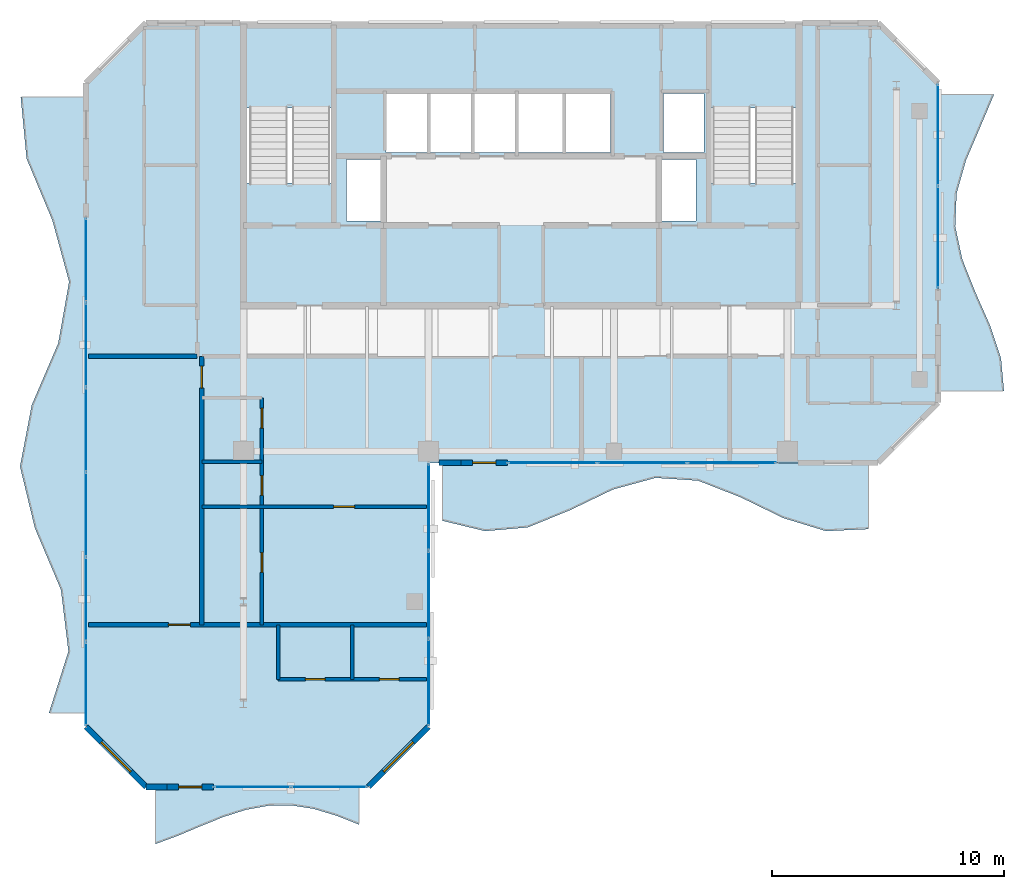
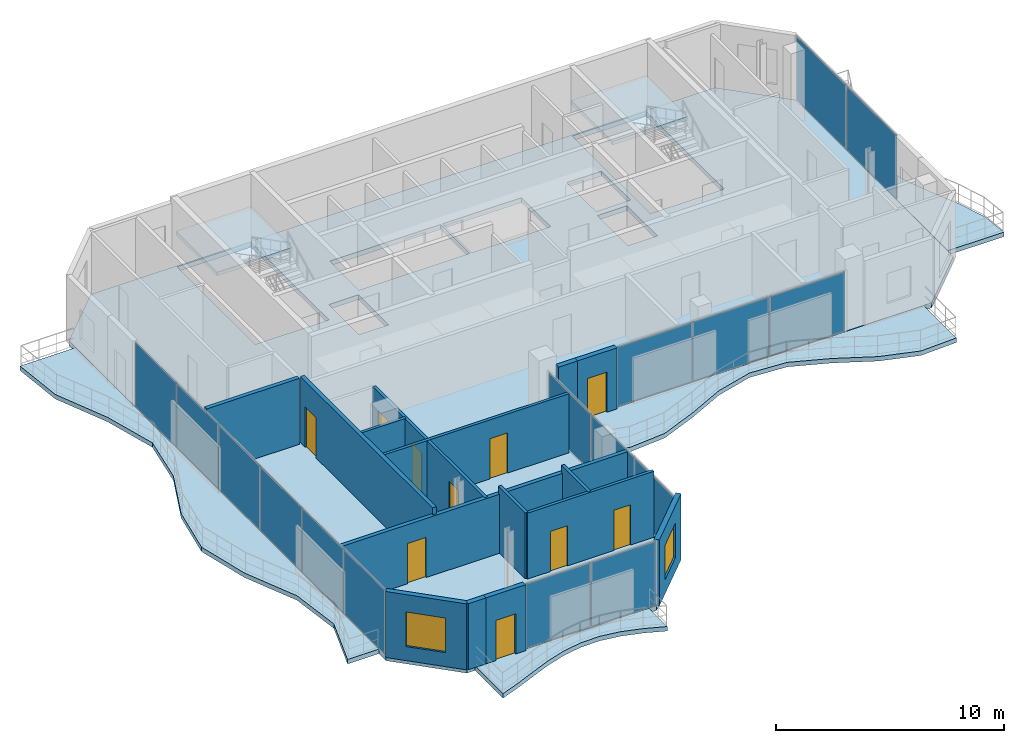
# One storey, part 12 of 17: 16 plates, 15 walls, 10 doors, 7 slabs, 2 windows, 12 openings, 7 elements without a shape of their own.
"""IFC4 building model written with IfcOpenShell, lengths in metres."""

from ifc_helpers import new_model, si_unit, direction, frame, frame_2d, origin, origin_2d, place, context, subcontext, project, spatial, polyline, rectangle, outline, extrude, material, layer, layer_set, type_object, element, fill, aggregate, save


model = new_model("IFC4")

# Units and contexts
model_context = context("Model", 3, precision=1e-05, world=origin(), true_north=direction((0.0, 1.0)))
body_context = subcontext(model_context, "Body", "Model", "MODEL_VIEW")
ifc_project = project(units=[si_unit("LENGTHUNIT", "METRE"), si_unit("AREAUNIT", "SQUARE_METRE"), si_unit("VOLUMEUNIT", "CUBIC_METRE"), si_unit("PLANEANGLEUNIT", "RADIAN"), si_unit("MASSUNIT", "GRAM", prefix="KILO")], contexts=[model_context])

# Site, building, storey
site_placement = place(None, origin())
site = spatial("IfcSite", under=ifc_project, at=site_placement, CompositionType="ELEMENT")
building_placement = place(site_placement, origin())
building = spatial("IfcBuilding", under=site, at=building_placement, Name="Catumbela Crestline Tower", CompositionType="ELEMENT")
storey_placement = place(building_placement, frame((0.0, 0.0, 279.2)))
storey = spatial("IfcBuildingStorey", under=building, at=storey_placement, Name="L72", CompositionType="ELEMENT", Elevation=279.2)

# Curtain wall, plates
ifc_material_1 = material(Name="Aluminium alloy AW-6060-T66", Category="aluminium")
ifc_layer_1 = layer(ifc_material_1, 0.18, Name="Aluminium alloy AW-6060-T66")
ifc_layer_set_1 = layer_set([ifc_layer_1], Name="Aluminium alloy AW-6060-T66")
curtain_wall_type = type_object("IfcCurtainWallType", Name="CWU-Z4", PredefinedType="USERDEFINED", material=ifc_layer_set_1)
curtain_wall_1_placement = place(storey_placement, origin())
curtain_wall_1 = element("IfcCurtainWall", 1, at=curtain_wall_1_placement, inside=storey, type_object=curtain_wall_type, Name="L72 Unitised Curtain Wall CW-L72-E0S2", ObjectType="UNITISED", PredefinedType="USERDEFINED")
ifc_material_2 = material(Name="Low-E laminated solar-control double glazing", Category="glass")
ifc_layer_2 = layer(ifc_material_2, 0.036, Name="Low-E laminated solar-control double glazing")
ifc_layer_set_2 = layer_set([ifc_layer_2], Name="Low-E laminated solar-control double glazing")
plate_type = type_object("IfcPlateType", Name="PNL-GLZ-Z4", PredefinedType="CURTAIN_PANEL", material=ifc_layer_set_2)
plate_1_placement = place(storey_placement, frame((16.3912, 10.0, 0.06), z_axis=(0.0, 0.0, 1.0), x_axis=(1.0, 0.0, 0.0)))
plate_1 = element("IfcPlate", 2, at=plate_1_placement, type_object=plate_type, Name="CWU-Z4 panel 1.1", PredefinedType="CURTAIN_PANEL", context=body_context, shape_type="SweptSolid", body=[
    extrude(rectangle(XDim=3.2525, YDim=0.034, at=origin_2d()), origin(), (0.0, 0.0, 1.0), 3.41),
])
plate_2_placement = place(storey_placement, frame((19.7087, 10.0, 0.06), z_axis=(0.0, 0.0, 1.0), x_axis=(1.0, 0.0, 0.0)))
plate_2 = element("IfcPlate", 3, at=plate_2_placement, type_object=plate_type, Name="CWU-Z4 panel 2.1", PredefinedType="CURTAIN_PANEL", context=body_context, shape_type="SweptSolid", body=[
    extrude(rectangle(XDim=3.2525, YDim=0.034, at=origin_2d()), origin(), (0.0, 0.0, 1.0), 3.41),
])
aggregate(curtain_wall_1, [plate_1, plate_2])

curtain_wall_2_placement = place(storey_placement, origin())
curtain_wall_2 = element("IfcCurtainWall", 4, at=curtain_wall_2_placement, inside=storey, type_object=curtain_wall_type, Name="L72 Unitised Curtain Wall CW-L72-E2S1", ObjectType="UNITISED", PredefinedType="USERDEFINED")
plate_3_placement = place(storey_placement, frame((24.0, 14.5162, 0.06), z_axis=(0.0, 0.0, 1.0), x_axis=(0.0, 1.0, 0.0)))
plate_3 = element("IfcPlate", 5, at=plate_3_placement, type_object=plate_type, Name="CWU-Z4 panel 1.1", PredefinedType="CURTAIN_PANEL", context=body_context, shape_type="SweptSolid", body=[
    extrude(rectangle(XDim=3.7025, YDim=0.034, at=origin_2d()), origin(), (0.0, 0.0, 1.0), 3.04),
])
plate_4_placement = place(storey_placement, frame((24.0, 18.3, 0.06), z_axis=(0.0, 0.0, 1.0), x_axis=(0.0, 1.0, 0.0)))
plate_4 = element("IfcPlate", 6, at=plate_4_placement, type_object=plate_type, Name="CWU-Z4 panel 2.1", PredefinedType="CURTAIN_PANEL", context=body_context, shape_type="SweptSolid", body=[
    extrude(rectangle(XDim=3.735, YDim=0.034, at=origin_2d()), origin(), (0.0, 0.0, 1.0), 3.04),
])
plate_5_placement = place(storey_placement, frame((24.0, 22.0837, 0.06), z_axis=(0.0, 0.0, 1.0), x_axis=(0.0, 1.0, 0.0)))
plate_5 = element("IfcPlate", 7, at=plate_5_placement, type_object=plate_type, Name="CWU-Z4 panel 3.1", PredefinedType="CURTAIN_PANEL", context=body_context, shape_type="SweptSolid", body=[
    extrude(rectangle(XDim=3.7025, YDim=0.034, at=origin_2d()), origin(), (0.0, 0.0, 1.0), 3.04),
])
aggregate(curtain_wall_2, [plate_3, plate_4, plate_5])

curtain_wall_3_placement = place(storey_placement, origin())
curtain_wall_3 = element("IfcCurtainWall", 8, at=curtain_wall_3_placement, inside=storey, type_object=curtain_wall_type, Name="L72 Unitised Curtain Wall CW-L72-E3S2", ObjectType="UNITISED", PredefinedType="USERDEFINED")
plate_6_placement = place(storey_placement, frame((29.3579, 24.0, 0.06), z_axis=(0.0, 0.0, 1.0), x_axis=(1.0, 0.0, 0.0)))
plate_6 = element("IfcPlate", 9, at=plate_6_placement, type_object=plate_type, Name="CWU-Z4 panel 1.1", PredefinedType="CURTAIN_PANEL", context=body_context, shape_type="SweptSolid", body=[
    extrude(rectangle(XDim=3.7858, YDim=0.034, at=origin_2d()), origin(), (0.0, 0.0, 1.0), 3.15),
])
plate_7_placement = place(storey_placement, frame((33.225, 24.0, 0.06), z_axis=(0.0, 0.0, 1.0), x_axis=(1.0, 0.0, 0.0)))
plate_7 = element("IfcPlate", 10, at=plate_7_placement, type_object=plate_type, Name="CWU-Z4 panel 2.1", PredefinedType="CURTAIN_PANEL", context=body_context, shape_type="SweptSolid", body=[
    extrude(rectangle(XDim=3.8183, YDim=0.034, at=origin_2d()), origin(), (0.0, 0.0, 1.0), 3.15),
])
plate_8_placement = place(storey_placement, frame((37.0921, 24.0, 0.06), z_axis=(0.0, 0.0, 1.0), x_axis=(1.0, 0.0, 0.0)))
plate_8 = element("IfcPlate", 11, at=plate_8_placement, type_object=plate_type, Name="CWU-Z4 panel 3.1", PredefinedType="CURTAIN_PANEL", context=body_context, shape_type="SweptSolid", body=[
    extrude(rectangle(XDim=3.7858, YDim=0.034, at=origin_2d()), origin(), (0.0, 0.0, 1.0), 3.15),
])
aggregate(curtain_wall_3, [plate_6, plate_7, plate_8])

curtain_wall_4_placement = place(storey_placement, origin())
curtain_wall_4 = element("IfcCurtainWall", 12, at=curtain_wall_4_placement, inside=storey, type_object=curtain_wall_type, Name="L72 Unitised Curtain Wall CW-L72-E5S2", ObjectType="UNITISED", PredefinedType="USERDEFINED")
plate_9_placement = place(storey_placement, frame((46.0, 33.7412, 0.06), z_axis=(0.0, 0.0, 1.0), x_axis=(0.0, 1.0, 0.0)))
plate_9 = element("IfcPlate", 13, at=plate_9_placement, type_object=plate_type, Name="CWU-Z4 panel 1.1", PredefinedType="CURTAIN_PANEL", context=body_context, shape_type="SweptSolid", body=[
    extrude(rectangle(XDim=4.3525, YDim=0.034, at=origin_2d()), origin(), (0.0, 0.0, 1.0), 3.41),
])
plate_10_placement = place(storey_placement, frame((46.0, 38.1588, 0.06), z_axis=(0.0, 0.0, 1.0), x_axis=(0.0, 1.0, 0.0)))
plate_10 = element("IfcPlate", 14, at=plate_10_placement, type_object=plate_type, Name="CWU-Z4 panel 2.1", PredefinedType="CURTAIN_PANEL", context=body_context, shape_type="SweptSolid", body=[
    extrude(rectangle(XDim=4.3525, YDim=0.034, at=origin_2d()), origin(), (0.0, 0.0, 1.0), 3.41),
])
aggregate(curtain_wall_4, [plate_9, plate_10])

curtain_wall_5_placement = place(storey_placement, origin())
curtain_wall_5 = element("IfcCurtainWall", 15, at=curtain_wall_5_placement, inside=storey, type_object=curtain_wall_type, Name="L72 Unitised Curtain Wall CW-L72-E9S2", ObjectType="UNITISED", PredefinedType="USERDEFINED")
plate_11_placement = place(storey_placement, frame((9.2, 32.7504, 0.06), z_axis=(0.0, 0.0, 1.0), x_axis=(0.0, -1.0, 0.0)))
plate_11 = element("IfcPlate", 16, at=plate_11_placement, type_object=plate_type, Name="CWU-Z4 panel 1.1", PredefinedType="CURTAIN_PANEL", context=body_context, shape_type="SweptSolid", body=[
    extrude(rectangle(XDim=3.5692, YDim=0.034, at=origin_2d()), origin(), (0.0, 0.0, 1.0), 3.41),
])
plate_12_placement = place(storey_placement, frame((9.2, 29.1, 0.06), z_axis=(0.0, 0.0, 1.0), x_axis=(0.0, -1.0, 0.0)))
plate_12 = element("IfcPlate", 17, at=plate_12_placement, type_object=plate_type, Name="CWU-Z4 panel 2.1", PredefinedType="CURTAIN_PANEL", context=body_context, shape_type="SweptSolid", body=[
    extrude(rectangle(XDim=3.6017, YDim=0.034, at=origin_2d()), origin(), (0.0, 0.0, 1.0), 3.41),
])
plate_13_placement = place(storey_placement, frame((9.2, 25.4333, 0.06), z_axis=(0.0, 0.0, 1.0), x_axis=(0.0, -1.0, 0.0)))
plate_13 = element("IfcPlate", 18, at=plate_13_placement, type_object=plate_type, Name="CWU-Z4 panel 3.1", PredefinedType="CURTAIN_PANEL", context=body_context, shape_type="SweptSolid", body=[
    extrude(rectangle(XDim=3.6017, YDim=0.034, at=origin_2d()), origin(), (0.0, 0.0, 1.0), 3.41),
])
plate_14_placement = place(storey_placement, frame((9.2, 21.7667, 0.06), z_axis=(0.0, 0.0, 1.0), x_axis=(0.0, -1.0, 0.0)))
plate_14 = element("IfcPlate", 19, at=plate_14_placement, type_object=plate_type, Name="CWU-Z4 panel 4.1", PredefinedType="CURTAIN_PANEL", context=body_context, shape_type="SweptSolid", body=[
    extrude(rectangle(XDim=3.6017, YDim=0.034, at=origin_2d()), origin(), (0.0, 0.0, 1.0), 3.41),
])
plate_15_placement = place(storey_placement, frame((9.2, 18.1, 0.06), z_axis=(0.0, 0.0, 1.0), x_axis=(0.0, -1.0, 0.0)))
plate_15 = element("IfcPlate", 20, at=plate_15_placement, type_object=plate_type, Name="CWU-Z4 panel 5.1", PredefinedType="CURTAIN_PANEL", context=body_context, shape_type="SweptSolid", body=[
    extrude(rectangle(XDim=3.6017, YDim=0.034, at=origin_2d()), origin(), (0.0, 0.0, 1.0), 3.41),
])
plate_16_placement = place(storey_placement, frame((9.2, 14.4496, 0.06), z_axis=(0.0, 0.0, 1.0), x_axis=(0.0, -1.0, 0.0)))
plate_16 = element("IfcPlate", 21, at=plate_16_placement, type_object=plate_type, Name="CWU-Z4 panel 6.1", PredefinedType="CURTAIN_PANEL", context=body_context, shape_type="SweptSolid", body=[
    extrude(rectangle(XDim=3.5692, YDim=0.034, at=origin_2d()), origin(), (0.0, 0.0, 1.0), 3.41),
])
aggregate(curtain_wall_5, [plate_11, plate_12, plate_13, plate_14, plate_15, plate_16])

# Stair, slab
ifc_material_3 = material(Name="Concrete C45/55", Category="concrete")
stair_type = type_object("IfcStairType", Name="ST-DLG", PredefinedType="HALF_TURN_STAIR", material=ifc_material_3)
stair_1_placement = place(storey_placement, origin())
stair_1 = element("IfcStair", 22, at=stair_1_placement, inside=storey, type_object=stair_type, Name="L72 West Core Pressurised Exit Stair ST-01", PredefinedType="HALF_TURN_STAIR")
ifc_layer_3 = layer(ifc_material_3, 0.2, Name="Concrete C45/55")
ifc_layer_set_3 = layer_set([ifc_layer_3], Name="Concrete C45/55")
slab_type_1 = type_object("IfcSlabType", Name="SL-LND", PredefinedType="LANDING", material=ifc_layer_set_3)
slab_1_placement = place(storey_placement, frame((0.0, 0.0, 1.7)))
slab_1 = element("IfcSlab", 23, at=slab_1_placement, type_object=slab_type_1, Name="ST-01 landing 1", PredefinedType="LANDING", context=body_context, shape_type="SweptSolid", body=[
    extrude(outline(polyline([(19.91, 39.33), (19.91, 42.96), (16.09, 42.96), (16.09, 39.33), (19.91, 39.33)])), origin(), (0.0, 0.0, 1.0), 0.2),
])
aggregate(stair_1, [slab_1])

stair_2_placement = place(storey_placement, origin())
stair_2 = element("IfcStair", 24, at=stair_2_placement, inside=storey, type_object=stair_type, Name="L72 East Core Pressurised Exit Stair ST-02", PredefinedType="HALF_TURN_STAIR")
slab_2_placement = place(storey_placement, frame((0.0, 0.0, 1.7)))
slab_2 = element("IfcSlab", 25, at=slab_2_placement, type_object=slab_type_1, Name="ST-02 landing 1", PredefinedType="LANDING", context=body_context, shape_type="SweptSolid", body=[
    extrude(outline(polyline([(39.91, 39.33), (39.91, 42.96), (36.09, 42.96), (36.09, 39.33), (39.91, 39.33)])), origin(), (0.0, 0.0, 1.0), 0.2),
])
aggregate(stair_2, [slab_2])

# Slabs
ifc_layer_4 = layer(ifc_material_3, 0.26, Name="Concrete C45/55")
ifc_layer_set_4 = layer_set([ifc_layer_4], Name="Concrete C45/55")
slab_type_2 = type_object("IfcSlabType", Name="SL-260", PredefinedType="FLOOR", material=ifc_layer_set_4)
slab_3_placement = place(storey_placement, frame((0.0, 0.0, -0.26)))
element("IfcSlab", 26, at=slab_3_placement, inside=storey, type_object=slab_type_2, Name="L72 Structural Floor Slab", PredefinedType="FLOOR", context=body_context, shape_type="SweptSolid", body=[
    extrude(outline(polyline([(11.8, 10.0), (21.4, 10.0), (24.0, 12.6), (24.0, 24.0), (43.4, 24.0), (46.0, 26.6), (46.0, 40.4), (43.4, 43.0), (11.8, 43.0), (9.2, 40.4), (9.2, 12.6), (11.8, 10.0)]), holes=[polyline([(16.13, 36.08), (19.87, 36.08), (19.87, 42.92), (16.13, 42.92), (16.13, 36.08)]), polyline([(36.13, 36.08), (39.87, 36.08), (39.87, 42.92), (36.13, 42.92), (36.13, 36.08)]), polyline([(22.15, 37.4), (27.75, 37.4), (27.75, 39.95), (22.15, 39.95), (22.15, 37.4)]), polyline([(27.85, 37.4), (31.85, 37.4), (31.85, 39.95), (27.85, 39.95), (27.85, 37.4)]), polyline([(20.45, 34.45), (21.95, 34.45), (21.95, 37.1), (20.45, 37.1), (20.45, 34.45)]), polyline([(34.05, 34.45), (35.55, 34.45), (35.55, 37.1), (34.05, 37.1), (34.05, 34.45)]), polyline([(34.15, 37.4), (35.9, 37.4), (35.9, 39.95), (34.15, 39.95), (34.15, 37.4)])]), origin(), (0.0, 0.0, 1.0), 0.26),
])
ifc_layer_5 = layer(ifc_material_3, 0.24, Name="Concrete C45/55")
ifc_layer_set_5 = layer_set([ifc_layer_5], Name="Concrete C45/55")
slab_type_3 = type_object("IfcSlabType", Name="SB-240W", PredefinedType="USERDEFINED", material=ifc_layer_set_5)
slab_4_placement = place(storey_placement, frame((0.0, 0.0, -0.24)))
element("IfcSlab", 27, at=slab_4_placement, inside=storey, type_object=slab_type_3, Name="L72 Cantilevered Wave Balcony Slab SPINE-S", ObjectType="BALCONY", PredefinedType="USERDEFINED", context=body_context, shape_type="SweptSolid", body=[
    extrude(outline(polyline([(24.6, 21.4947), (26.44, 21.05), (28.28, 21.2089), (30.12, 21.9603), (31.96, 22.8472), (33.8, 23.35), (35.64, 23.229), (37.48, 22.5082), (39.32, 21.6131), (41.16, 21.05), (43.0, 21.1366), (43.0, 23.99), (24.6, 23.99), (24.6, 21.4947)])), origin(), (0.0, 0.0, 1.0), 0.24),
])
slab_5_placement = place(storey_placement, frame((0.0, 0.0, -0.24)))
element("IfcSlab", 28, at=slab_5_placement, inside=storey, type_object=slab_type_3, Name="L72 Cantilevered Wave Balcony Slab SPINE-E", ObjectType="BALCONY", PredefinedType="USERDEFINED", context=body_context, shape_type="SweptSolid", body=[
    extrude(outline(polyline([(46.01, 27.1), (48.85, 27.1), (48.7189, 28.5222), (48.2422, 29.9444), (47.6131, 31.3667), (47.0484, 32.7889), (46.7427, 34.2111), (46.8012, 35.6333), (47.2039, 37.0556), (47.8119, 38.4778), (48.4158, 39.9), (46.01, 39.9), (46.01, 27.1)])), origin(), (0.0, 0.0, 1.0), 0.24),
])
slab_6_placement = place(storey_placement, frame((0.0, 0.0, -0.24)))
element("IfcSlab", 29, at=slab_6_placement, inside=storey, type_object=slab_type_3, Name="L72 Cantilevered Wave Balcony Slab WING-S", ObjectType="BALCONY", PredefinedType="USERDEFINED", context=body_context, shape_type="SweptSolid", body=[
    extrude(outline(polyline([(12.2, 7.5326), (13.1778, 7.895), (14.1556, 8.3078), (15.1333, 8.7028), (16.1111, 9.0146), (17.0889, 9.1917), (18.0667, 9.2047), (19.0444, 9.0516), (20.0222, 8.7575), (21.0, 8.3713), (21.0, 9.99), (12.2, 9.99), (12.2, 7.5326)])), origin(), (0.0, 0.0, 1.0), 0.24),
])
slab_7_placement = place(storey_placement, frame((0.0, 0.0, -0.24)))
element("IfcSlab", 30, at=slab_7_placement, inside=storey, type_object=slab_type_3, Name="L72 Cantilevered Wave Balcony Slab WEST", ObjectType="BALCONY", PredefinedType="USERDEFINED", context=body_context, shape_type="SweptSolid", body=[
    extrude(outline(polyline([(9.19, 39.8), (6.3794, 39.8), (6.6329, 37.14), (7.7441, 34.48), (8.4706, 31.82), (7.9998, 29.16), (6.8583, 26.5), (6.35, 23.84), (6.9916, 21.18), (8.1173, 18.52), (8.4409, 15.86), (7.6005, 13.2), (9.19, 13.2), (9.19, 39.8)])), origin(), (0.0, 0.0, 1.0), 0.24),
])

# Wall, opening, door
ifc_material_4 = material(Name="Acoustic gypsum and mineral-wool partition")
ifc_layer_6 = layer(ifc_material_4, 0.2, Name="Acoustic gypsum and mineral-wool partition")
ifc_layer_set_6 = layer_set([ifc_layer_6], Name="Acoustic gypsum and mineral-wool partition")
wall_type_1 = type_object("IfcWallType", Name="WC-200", PredefinedType="PARTITIONING", material=ifc_layer_set_6)
wall_1_placement = place(storey_placement, frame((14.2, 17.0, 0.0), z_axis=(0.0, 0.0, 1.0), x_axis=(0.0, 1.0, 0.0)))
wall_1 = element("IfcWall", 31, at=wall_1_placement, inside=storey, type_object=wall_type_1, Name="L72 Interior Partition PW-L72-WR1-ENT", PredefinedType="PARTITIONING", context=body_context, shape_type="SweptSolid", body=[
    extrude(rectangle(XDim=11.6, YDim=0.2, at=frame_2d((5.8, 0.0))), origin(), (0.0, 0.0, 1.0), 3.53),
])
opening_1_placement = place(wall_1_placement, frame((10.225, 0.0, 0.0)))
opening_1 = element("IfcOpeningElement", 32, at=opening_1_placement, cuts=wall_1, Name="Opening DF6-095", PredefinedType="OPENING", context=body_context, shape_type="SweptSolid", body=[
    extrude(rectangle(XDim=0.95, YDim=2.15, at=frame_2d((0.475, 1.075))), frame((0.0, 0.11, 0.0), z_axis=(0.0, -1.0, 0.0), x_axis=(1.0, 0.0, 0.0)), (0.0, 0.0, 1.0), 0.22),
])
door_type_1 = type_object("IfcDoorType", Name="DF6-095", OperationType="NOTDEFINED", PredefinedType="DOOR", material=ifc_material_1)
door_1_placement = place(opening_1_placement, origin())
door_1 = element("IfcDoor", 33, at=door_1_placement, inside=storey, type_object=door_type_1, Name="L72 Interior Door DR-L72-WR1-ENT", OperationType="SINGLE_SWING_LEFT", OverallHeight=2.15, OverallWidth=0.95, PredefinedType="DOOR", context=body_context, shape_type="SweptSolid", body=[
    extrude(rectangle(XDim=0.95, YDim=2.15, at=frame_2d((0.475, 1.075))), frame((0.0, 0.025, 0.0), z_axis=(0.0, -1.0, 0.0), x_axis=(1.0, 0.0, 0.0)), (0.0, 0.0, 1.0), 0.05),
])
fill(opening_1, door_1)

ifc_material_5 = material(Name="Angolan grey-ochre granite", Category="masonry")
ifc_layer_7 = layer(ifc_material_5, 0.25, Name="Angolan grey-ochre granite")
ifc_layer_set_7 = layer_set([ifc_layer_7], Name="Angolan grey-ochre granite")
wall_type_2 = type_object("IfcWallType", Name="WE-250", PredefinedType="STANDARD", material=ifc_layer_set_7)
wall_2_placement = place(storey_placement, frame((12.7, 10.0, 0.0), z_axis=(0.0, 0.0, 1.0), x_axis=(1.0, 0.0, 0.0)))
wall_2 = element("IfcWall", 34, at=wall_2_placement, inside=storey, type_object=wall_type_2, Name="L72 Exterior Threshold Portal Wall DR-L72-WBAL-3", PredefinedType="STANDARD", context=body_context, shape_type="SweptSolid", body=[
    extrude(rectangle(XDim=2.0, YDim=0.25, at=frame_2d((1.0, 0.0))), origin(), (0.0, 0.0, 1.0), 3.53),
])
opening_2_placement = place(wall_2_placement, frame((0.5, 0.0, 0.0)))
opening_2 = element("IfcOpeningElement", 35, at=opening_2_placement, cuts=wall_2, Name="Opening DB-L72-3", PredefinedType="OPENING", context=body_context, shape_type="SweptSolid", body=[
    extrude(rectangle(XDim=1.0, YDim=2.15, at=frame_2d((0.5, 1.075))), frame((0.0, 0.135, 0.0), z_axis=(0.0, -1.0, 0.0), x_axis=(1.0, 0.0, 0.0)), (0.0, 0.0, 1.0), 0.27),
])
door_type_2 = type_object("IfcDoorType", Name="DB-1000", OperationType="NOTDEFINED", PredefinedType="DOOR", material=ifc_material_1)
door_2_placement = place(opening_2_placement, origin())
door_2 = element("IfcDoor", 36, at=door_2_placement, inside=storey, type_object=door_type_2, Name="L72 Wave Balcony Terrace Door 3", OperationType="SINGLE_SWING_RIGHT", OverallHeight=2.15, OverallWidth=1.0, PredefinedType="DOOR", context=body_context, shape_type="SweptSolid", body=[
    extrude(rectangle(XDim=1.0, YDim=2.15, at=frame_2d((0.5, 1.075))), frame((0.0, 0.025, 0.0), z_axis=(0.0, -1.0, 0.0), x_axis=(1.0, 0.0, 0.0)), (0.0, 0.0, 1.0), 0.05),
])
fill(opening_2, door_2)

# Wall
wall_3_placement = place(storey_placement, frame((11.8, 10.0, 0.0), z_axis=(0.0, 0.0, 1.0), x_axis=(1.0, 0.0, 0.0)))
element("IfcWall", 37, at=wall_3_placement, inside=storey, type_object=wall_type_2, Name="L72 Granite Punched Window Wall 0-1", PredefinedType="STANDARD", context=body_context, shape_type="SweptSolid", body=[
    extrude(rectangle(XDim=0.9, YDim=0.25, at=frame_2d((0.45, 0.0))), origin(), (0.0, 0.0, 1.0), 3.53),
])

# Wall, opening, window
wall_4_placement = place(storey_placement, frame((21.4, 10.0, 0.0), z_axis=(0.0, 0.0, 1.0), x_axis=(0.707106781187, 0.707106781187, 0.0)))
wall_4 = element("IfcWall", 38, at=wall_4_placement, inside=storey, type_object=wall_type_2, Name="L72 Granite Punched Window Wall 1-1", PredefinedType="STANDARD", context=body_context, shape_type="SweptSolid", body=[
    extrude(rectangle(XDim=3.677, YDim=0.25, at=frame_2d((1.8385, 0.0))), origin(), (0.0, 0.0, 1.0), 3.53),
])
opening_3_placement = place(wall_4_placement, frame((0.9385, 0.0, 0.75)))
opening_3 = element("IfcOpeningElement", 39, at=opening_3_placement, cuts=wall_4, Name="Opening WN-01", PredefinedType="OPENING", context=body_context, shape_type="SweptSolid", body=[
    extrude(rectangle(XDim=1.8, YDim=1.85, at=frame_2d((0.9, 0.925))), frame((0.0, 0.135, 0.0), z_axis=(0.0, -1.0, 0.0), x_axis=(1.0, 0.0, 0.0)), (0.0, 0.0, 1.0), 0.27),
])
window_type = type_object("IfcWindowType", Name="WF-1800", PartitioningType="SINGLE_PANEL", PredefinedType="WINDOW", material=ifc_material_2)
window_1_placement = place(opening_3_placement, origin())
window_1 = element("IfcWindow", 40, at=window_1_placement, inside=storey, type_object=window_type, Name="L72 Facade Vision Window 577", OverallHeight=1.85, OverallWidth=1.8, PartitioningType="SINGLE_PANEL", PredefinedType="WINDOW", context=body_context, shape_type="SweptSolid", body=[
    extrude(rectangle(XDim=1.8, YDim=1.85, at=frame_2d((0.9, 0.925))), frame((0.0, 0.03, 0.0), z_axis=(0.0, -1.0, 0.0), x_axis=(1.0, 0.0, 0.0)), (0.0, 0.0, 1.0), 0.06),
])
fill(opening_3, window_1)

# Wall, opening, door
wall_5_placement = place(storey_placement, frame((25.4, 24.0, 0.0), z_axis=(0.0, 0.0, 1.0), x_axis=(1.0, 0.0, 0.0)))
wall_5 = element("IfcWall", 41, at=wall_5_placement, inside=storey, type_object=wall_type_2, Name="L72 Exterior Threshold Portal Wall DR-L72-WBAL-1", PredefinedType="STANDARD", context=body_context, shape_type="SweptSolid", body=[
    extrude(rectangle(XDim=2.0, YDim=0.25, at=frame_2d((1.0, 0.0))), origin(), (0.0, 0.0, 1.0), 3.27),
])
opening_4_placement = place(wall_5_placement, frame((0.5, 0.0, 0.0)))
opening_4 = element("IfcOpeningElement", 42, at=opening_4_placement, cuts=wall_5, Name="Opening DB-L72-1", PredefinedType="OPENING", context=body_context, shape_type="SweptSolid", body=[
    extrude(rectangle(XDim=1.0, YDim=2.15, at=frame_2d((0.5, 1.075))), frame((0.0, 0.135, 0.0), z_axis=(0.0, -1.0, 0.0), x_axis=(1.0, 0.0, 0.0)), (0.0, 0.0, 1.0), 0.27),
])
door_3_placement = place(opening_4_placement, origin())
door_3 = element("IfcDoor", 43, at=door_3_placement, inside=storey, type_object=door_type_2, Name="L72 Wave Balcony Terrace Door 1", OperationType="SINGLE_SWING_RIGHT", OverallHeight=2.15, OverallWidth=1.0, PredefinedType="DOOR", context=body_context, shape_type="SweptSolid", body=[
    extrude(rectangle(XDim=1.0, YDim=2.15, at=frame_2d((0.5, 1.075))), frame((0.0, 0.025, 0.0), z_axis=(0.0, -1.0, 0.0), x_axis=(1.0, 0.0, 0.0)), (0.0, 0.0, 1.0), 0.05),
])
fill(opening_4, door_3)

# Wall
wall_6_placement = place(storey_placement, frame((24.45, 24.0, 0.0), z_axis=(0.0, 0.0, 1.0), x_axis=(1.0, 0.0, 0.0)))
element("IfcWall", 44, at=wall_6_placement, inside=storey, type_object=wall_type_2, Name="L72 Granite Punched Window Wall 3-1", PredefinedType="STANDARD", context=body_context, shape_type="SweptSolid", body=[
    extrude(rectangle(XDim=0.95, YDim=0.25, at=frame_2d((0.475, 0.0))), origin(), (0.0, 0.0, 1.0), 3.27),
])

# Wall, opening, window
wall_7_placement = place(storey_placement, frame((9.2, 12.6, 0.0), z_axis=(0.0, 0.0, 1.0), x_axis=(0.707106781187, -0.707106781187, 0.0)))
wall_7 = element("IfcWall", 45, at=wall_7_placement, inside=storey, type_object=wall_type_2, Name="L72 Granite Punched Window Wall 10-1", PredefinedType="STANDARD", context=body_context, shape_type="SweptSolid", body=[
    extrude(rectangle(XDim=3.677, YDim=0.25, at=frame_2d((1.8385, 0.0))), origin(), (0.0, 0.0, 1.0), 3.53),
])
opening_5_placement = place(wall_7_placement, frame((0.9385, 0.0, 0.75)))
opening_5 = element("IfcOpeningElement", 46, at=opening_5_placement, cuts=wall_7, Name="Opening WN-01", PredefinedType="OPENING", context=body_context, shape_type="SweptSolid", body=[
    extrude(rectangle(XDim=1.8, YDim=1.85, at=frame_2d((0.9, 0.925))), frame((0.0, 0.135, 0.0), z_axis=(0.0, -1.0, 0.0), x_axis=(1.0, 0.0, 0.0)), (0.0, 0.0, 1.0), 0.27),
])
window_2_placement = place(opening_5_placement, origin())
window_2 = element("IfcWindow", 47, at=window_2_placement, inside=storey, type_object=window_type, Name="L72 Facade Vision Window 587", OverallHeight=1.85, OverallWidth=1.8, PartitioningType="SINGLE_PANEL", PredefinedType="WINDOW", context=body_context, shape_type="SweptSolid", body=[
    extrude(rectangle(XDim=1.8, YDim=1.85, at=frame_2d((0.9, 0.925))), frame((0.0, 0.03, 0.0), z_axis=(0.0, -1.0, 0.0), x_axis=(1.0, 0.0, 0.0)), (0.0, 0.0, 1.0), 0.06),
])
fill(opening_5, window_2)

# Wall, opening, door
ifc_layer_8 = layer(ifc_material_4, 0.15, Name="Acoustic gypsum and mineral-wool partition")
ifc_layer_set_8 = layer_set([ifc_layer_8], Name="Acoustic gypsum and mineral-wool partition")
wall_type_3 = type_object("IfcWallType", Name="WP-150", PredefinedType="PARTITIONING", material=ifc_layer_set_8)
wall_8_placement = place(storey_placement, frame((14.2, 22.104, 0.0), z_axis=(0.0, 0.0, 1.0), x_axis=(1.0, 0.0, 0.0)))
wall_8 = element("IfcWall", 48, at=wall_8_placement, inside=storey, type_object=wall_type_3, Name="L72 Interior Partition PW-L72-WR1-KBS", PredefinedType="PARTITIONING", context=body_context, shape_type="SweptSolid", body=[
    extrude(rectangle(XDim=9.7, YDim=0.15, at=frame_2d((4.85, 0.0))), origin(), (0.0, 0.0, 1.0), 3.16),
])
opening_6_placement = place(wall_8_placement, frame((5.7, 0.0, 0.0)))
opening_6 = element("IfcOpeningElement", 49, at=opening_6_placement, cuts=wall_8, Name="Opening DI-090", PredefinedType="OPENING", context=body_context, shape_type="SweptSolid", body=[
    extrude(rectangle(XDim=0.9, YDim=2.15, at=frame_2d((0.45, 1.075))), frame((0.0, 0.085, 0.0), z_axis=(0.0, -1.0, 0.0), x_axis=(1.0, 0.0, 0.0)), (0.0, 0.0, 1.0), 0.17),
])
door_type_3 = type_object("IfcDoorType", Name="DI-090", OperationType="NOTDEFINED", PredefinedType="DOOR", material=ifc_material_1)
door_4_placement = place(opening_6_placement, origin())
door_4 = element("IfcDoor", 50, at=door_4_placement, inside=storey, type_object=door_type_3, Name="L72 Interior Door DR-L72-WR1-BD1", OperationType="SINGLE_SWING_LEFT", OverallHeight=2.15, OverallWidth=0.9, PredefinedType="DOOR", context=body_context, shape_type="SweptSolid", body=[
    extrude(rectangle(XDim=0.9, YDim=2.15, at=frame_2d((0.45, 1.075))), frame((0.0, 0.025, 0.0), z_axis=(0.0, -1.0, 0.0), x_axis=(1.0, 0.0, 0.0)), (0.0, 0.0, 1.0), 0.05),
])
fill(opening_6, door_4)

# Wall
wall_9_placement = place(storey_placement, frame((14.2, 24.054, 0.0), z_axis=(0.0, 0.0, 1.0), x_axis=(1.0, 0.0, 0.0)))
element("IfcWall", 51, at=wall_9_placement, inside=storey, type_object=wall_type_3, Name="L72 Interior Partition PW-L72-WR1-KBM", PredefinedType="PARTITIONING", context=body_context, shape_type="SweptSolid", body=[
    extrude(rectangle(XDim=2.6, YDim=0.15, at=frame_2d((1.3, 0.0))), origin(), (0.0, 0.0, 1.0), 3.16),
])

# Wall, openings, doors
wall_10_placement = place(storey_placement, frame((16.8, 17.0, 0.0), z_axis=(0.0, 0.0, 1.0), x_axis=(0.0, 1.0, 0.0)))
wall_10 = element("IfcWall", 52, at=wall_10_placement, inside=storey, type_object=wall_type_3, Name="L72 Interior Partition PW-L72-WR1-LB", PredefinedType="PARTITIONING", context=body_context, shape_type="SweptSolid", body=[
    extrude(rectangle(XDim=9.8, YDim=0.15, at=frame_2d((4.9, 0.0))), origin(), (0.0, 0.0, 1.0), 3.16),
])
opening_7_placement = place(wall_10_placement, frame((5.5983, 0.0, 0.0)))
opening_7 = element("IfcOpeningElement", 53, at=opening_7_placement, cuts=wall_10, Name="Opening DI-085", PredefinedType="OPENING", context=body_context, shape_type="SweptSolid", body=[
    extrude(rectangle(XDim=0.85, YDim=2.15, at=frame_2d((0.425, 1.075))), frame((0.0, 0.085, 0.0), z_axis=(0.0, -1.0, 0.0), x_axis=(1.0, 0.0, 0.0)), (0.0, 0.0, 1.0), 0.17),
])
opening_8_placement = place(wall_10_placement, frame((8.4963, 0.0, 0.0)))
opening_8 = element("IfcOpeningElement", 54, at=opening_8_placement, cuts=wall_10, Name="Opening DI-085", PredefinedType="OPENING", context=body_context, shape_type="SweptSolid", body=[
    extrude(rectangle(XDim=0.85, YDim=2.15, at=frame_2d((0.425, 1.075))), frame((0.0, 0.085, 0.0), z_axis=(0.0, -1.0, 0.0), x_axis=(1.0, 0.0, 0.0)), (0.0, 0.0, 1.0), 0.17),
])
opening_9_placement = place(wall_10_placement, frame((2.2684, 0.0, 0.0)))
opening_9 = element("IfcOpeningElement", 55, at=opening_9_placement, cuts=wall_10, Name="Opening DI-085", PredefinedType="OPENING", context=body_context, shape_type="SweptSolid", body=[
    extrude(rectangle(XDim=0.85, YDim=2.15, at=frame_2d((0.425, 1.075))), frame((0.0, 0.085, 0.0), z_axis=(0.0, -1.0, 0.0), x_axis=(1.0, 0.0, 0.0)), (0.0, 0.0, 1.0), 0.17),
])
door_type_4 = type_object("IfcDoorType", Name="DI-085", OperationType="NOTDEFINED", PredefinedType="DOOR", material=ifc_material_1)
door_5_placement = place(opening_7_placement, origin())
door_5 = element("IfcDoor", 56, at=door_5_placement, inside=storey, type_object=door_type_4, Name="L72 Interior Door DR-L72-WR1-BTH", OperationType="SINGLE_SWING_LEFT", OverallHeight=2.15, OverallWidth=0.85, PredefinedType="DOOR", context=body_context, shape_type="SweptSolid", body=[
    extrude(rectangle(XDim=0.85, YDim=2.15, at=frame_2d((0.425, 1.075))), frame((0.0, 0.025, 0.0), z_axis=(0.0, -1.0, 0.0), x_axis=(1.0, 0.0, 0.0)), (0.0, 0.0, 1.0), 0.05),
])
fill(opening_7, door_5)
door_6_placement = place(opening_8_placement, origin())
door_6 = element("IfcDoor", 57, at=door_6_placement, inside=storey, type_object=door_type_4, Name="L72 Interior Door DR-L72-WR1-KIT", OperationType="SINGLE_SWING_RIGHT", OverallHeight=2.15, OverallWidth=0.85, PredefinedType="DOOR", context=body_context, shape_type="SweptSolid", body=[
    extrude(rectangle(XDim=0.85, YDim=2.15, at=frame_2d((0.425, 1.075))), frame((0.0, 0.025, 0.0), z_axis=(0.0, -1.0, 0.0), x_axis=(1.0, 0.0, 0.0)), (0.0, 0.0, 1.0), 0.05),
])
fill(opening_8, door_6)
door_7_placement = place(opening_9_placement, origin())
door_7 = element("IfcDoor", 58, at=door_7_placement, inside=storey, type_object=door_type_4, Name="L72 Interior Door DR-L72-WR1-WIR", OperationType="SINGLE_SWING_LEFT", OverallHeight=2.15, OverallWidth=0.85, PredefinedType="DOOR", context=body_context, shape_type="SweptSolid", body=[
    extrude(rectangle(XDim=0.85, YDim=2.15, at=frame_2d((0.425, 1.075))), frame((0.0, 0.025, 0.0), z_axis=(0.0, -1.0, 0.0), x_axis=(1.0, 0.0, 0.0)), (0.0, 0.0, 1.0), 0.05),
])
fill(opening_9, door_7)

# Walls
for number, where, z_axis, x_axis, name in (
    (59, (17.5, 14.65, 0.0), (0.0, 0.0, 1.0), (0.0, 1.0, 0.0), "L72 Interior Partition PW-L72-SH1-KBW"),
    (60, (20.7, 14.65, 0.0), (0.0, 0.0, 1.0), (0.0, 1.0, 0.0), "L72 Interior Partition PW-L72-SH1-KBM"),
):
    element("IfcWall", number, at=place(storey_placement, frame(where, z_axis=z_axis, x_axis=x_axis)), inside=storey, type_object=wall_type_3, Name=name, PredefinedType="PARTITIONING", context=body_context, shape_type="SweptSolid", body=[
        extrude(rectangle(XDim=2.35, YDim=0.15, at=frame_2d((1.175, 0.0))), origin(), (0.0, 0.0, 1.0), 3.53),
    ])

# Wall, openings, doors
wall_11_placement = place(storey_placement, frame((17.5, 14.65, 0.0), z_axis=(0.0, 0.0, 1.0), x_axis=(1.0, 0.0, 0.0)))
wall_11 = element("IfcWall", 61, at=wall_11_placement, inside=storey, type_object=wall_type_3, Name="L72 Interior Partition PW-L72-SH1-KBD1", PredefinedType="PARTITIONING", context=body_context, shape_type="SweptSolid", body=[
    extrude(rectangle(XDim=6.4, YDim=0.15, at=frame_2d((3.2, 0.0))), origin(), (0.0, 0.0, 1.0), 3.53),
])
opening_10_placement = place(wall_11_placement, frame((1.175, 0.0, 0.0)))
opening_10 = element("IfcOpeningElement", 62, at=opening_10_placement, cuts=wall_11, Name="Opening DI-085", PredefinedType="OPENING", context=body_context, shape_type="SweptSolid", body=[
    extrude(rectangle(XDim=0.85, YDim=2.15, at=frame_2d((0.425, 1.075))), frame((0.0, 0.085, 0.0), z_axis=(0.0, -1.0, 0.0), x_axis=(1.0, 0.0, 0.0)), (0.0, 0.0, 1.0), 0.17),
])
opening_11_placement = place(wall_11_placement, frame((4.375, 0.0, 0.0)))
opening_11 = element("IfcOpeningElement", 63, at=opening_11_placement, cuts=wall_11, Name="Opening DI-085", PredefinedType="OPENING", context=body_context, shape_type="SweptSolid", body=[
    extrude(rectangle(XDim=0.85, YDim=2.15, at=frame_2d((0.425, 1.075))), frame((0.0, 0.085, 0.0), z_axis=(0.0, -1.0, 0.0), x_axis=(1.0, 0.0, 0.0)), (0.0, 0.0, 1.0), 0.17),
])
door_8_placement = place(opening_10_placement, origin())
door_8 = element("IfcDoor", 64, at=door_8_placement, inside=storey, type_object=door_type_4, Name="L72 Interior Door DR-L72-SH1-BTH", OperationType="SINGLE_SWING_LEFT", OverallHeight=2.15, OverallWidth=0.85, PredefinedType="DOOR", context=body_context, shape_type="SweptSolid", body=[
    extrude(rectangle(XDim=0.85, YDim=2.15, at=frame_2d((0.425, 1.075))), frame((0.0, 0.025, 0.0), z_axis=(0.0, -1.0, 0.0), x_axis=(1.0, 0.0, 0.0)), (0.0, 0.0, 1.0), 0.05),
])
fill(opening_10, door_8)
door_9_placement = place(opening_11_placement, origin())
door_9 = element("IfcDoor", 65, at=door_9_placement, inside=storey, type_object=door_type_4, Name="L72 Interior Door DR-L72-SH1-KIT", OperationType="SINGLE_SWING_RIGHT", OverallHeight=2.15, OverallWidth=0.85, PredefinedType="DOOR", context=body_context, shape_type="SweptSolid", body=[
    extrude(rectangle(XDim=0.85, YDim=2.15, at=frame_2d((0.425, 1.075))), frame((0.0, 0.025, 0.0), z_axis=(0.0, -1.0, 0.0), x_axis=(1.0, 0.0, 0.0)), (0.0, 0.0, 1.0), 0.05),
])
fill(opening_11, door_9)

# Wall
ifc_layer_9 = layer(ifc_material_4, 0.2, Name="Acoustic gypsum and mineral-wool partition")
ifc_layer_set_9 = layer_set([ifc_layer_9], Name="Acoustic gypsum and mineral-wool partition")
wall_type_4 = type_object("IfcWallType", Name="WY-200", PredefinedType="PARTITIONING", material=ifc_layer_set_9)
wall_12_placement = place(storey_placement, frame((9.3, 28.6, 0.0), z_axis=(0.0, 0.0, 1.0), x_axis=(1.0, 0.0, 0.0)))
element("IfcWall", 66, at=wall_12_placement, inside=storey, type_object=wall_type_4, Name="L72 Interior Partition PW-L72-RCWNW", PredefinedType="PARTITIONING", context=body_context, shape_type="SweptSolid", body=[
    extrude(rectangle(XDim=4.7, YDim=0.2, at=frame_2d((2.35, 0.0))), origin(), (0.0, 0.0, 1.0), 3.53),
])

# Wall, opening, door
wall_13_placement = place(storey_placement, frame((9.3, 17.0, 0.0), z_axis=(0.0, 0.0, 1.0), x_axis=(1.0, 0.0, 0.0)))
wall_13 = element("IfcWall", 67, at=wall_13_placement, inside=storey, type_object=wall_type_4, Name="L72 Interior Partition PW-L72-SH-WL", PredefinedType="PARTITIONING", context=body_context, shape_type="SweptSolid", body=[
    extrude(rectangle(XDim=14.6, YDim=0.2, at=frame_2d((7.3, 0.0))), origin(), (0.0, 0.0, 1.0), 3.16),
])
opening_12_placement = place(wall_13_placement, frame((3.463, 0.0, 0.0)))
opening_12 = element("IfcOpeningElement", 68, at=opening_12_placement, cuts=wall_13, Name="Opening DF6-095", PredefinedType="OPENING", context=body_context, shape_type="SweptSolid", body=[
    extrude(rectangle(XDim=0.95, YDim=2.15, at=frame_2d((0.475, 1.075))), frame((0.0, 0.11, 0.0), z_axis=(0.0, -1.0, 0.0), x_axis=(1.0, 0.0, 0.0)), (0.0, 0.0, 1.0), 0.22),
])
door_10_placement = place(opening_12_placement, origin())
door_10 = element("IfcDoor", 69, at=door_10_placement, inside=storey, type_object=door_type_1, Name="L72 Interior Door DR-L72-SH1-ENT", OperationType="SINGLE_SWING_LEFT", OverallHeight=2.15, OverallWidth=0.95, PredefinedType="DOOR", context=body_context, shape_type="SweptSolid", body=[
    extrude(rectangle(XDim=0.95, YDim=2.15, at=frame_2d((0.475, 1.075))), frame((0.0, 0.025, 0.0), z_axis=(0.0, -1.0, 0.0), x_axis=(1.0, 0.0, 0.0)), (0.0, 0.0, 1.0), 0.05),
])
fill(opening_12, door_10)

save(model, "model.ifc")
